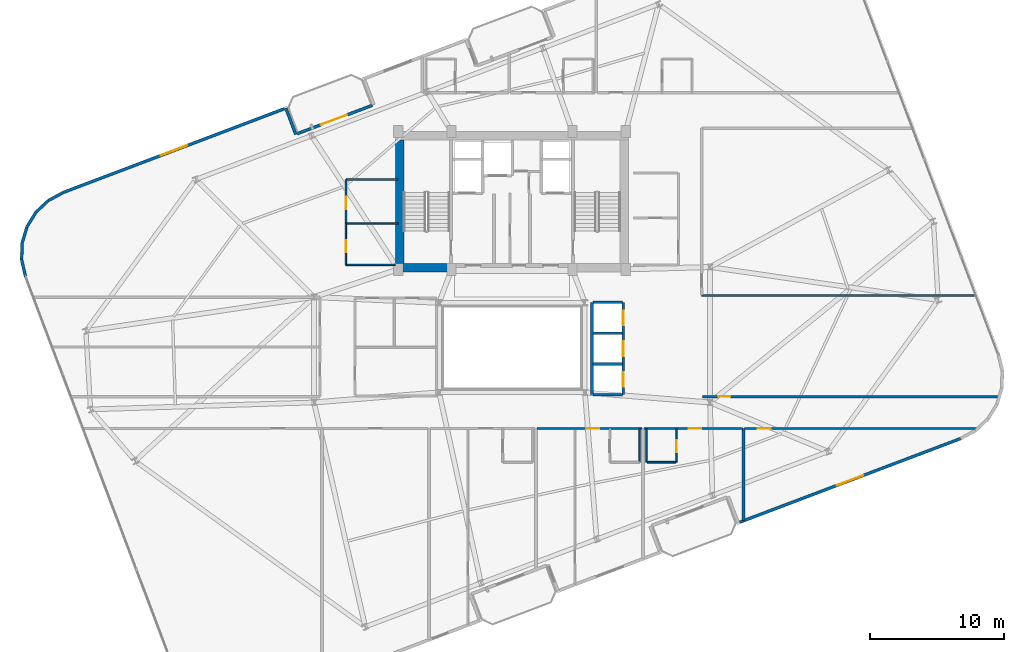
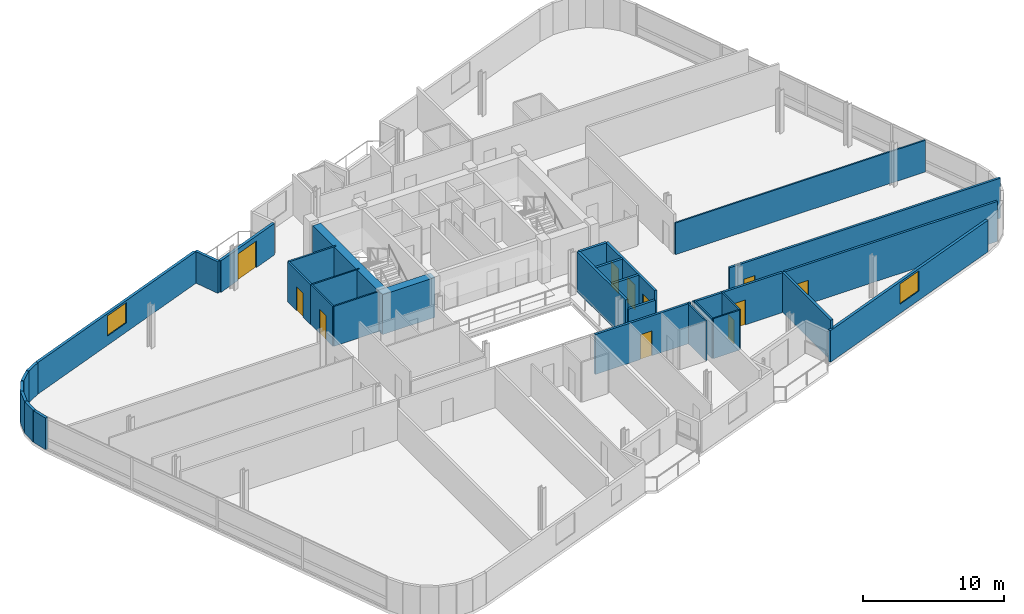
# One storey, part 15 of 20: 33 walls, 11 doors, 2 windows, 13 openings.
"""IFC4 building model written with IfcOpenShell, lengths in metres."""

from ifc_helpers import new_model, si_unit, direction, frame, frame_2d, origin, place, context, subcontext, project, spatial, rectangle, extrude, material, layer, layer_set, type_object, element, fill, save


model = new_model("IFC4")

# Units and contexts
model_context = context("Model", 3, precision=1e-05, world=origin(), true_north=direction((0.0, 1.0)))
body_context = subcontext(model_context, "Body", "Model", "MODEL_VIEW")
ifc_project = project(units=[si_unit("LENGTHUNIT", "METRE"), si_unit("AREAUNIT", "SQUARE_METRE"), si_unit("VOLUMEUNIT", "CUBIC_METRE"), si_unit("PLANEANGLEUNIT", "RADIAN"), si_unit("MASSUNIT", "GRAM", prefix="KILO")], contexts=[model_context])

# Site, building, storey
site_placement = place(None, origin())
site = spatial("IfcSite", under=ifc_project, at=site_placement, CompositionType="ELEMENT")
building_placement = place(site_placement, origin())
building = spatial("IfcBuilding", under=site, at=building_placement, Name="Varnelok Gate Tower", CompositionType="ELEMENT")
storey_placement = place(building_placement, frame((0.0, 0.0, 238.60009765625)))
storey = spatial("IfcBuildingStorey", under=building, at=storey_placement, Name="L61", CompositionType="ELEMENT", Elevation=238.60009765625)

# Wall, opening, door
ifc_material_1 = material(Name="Concrete C45/55", Category="concrete")
ifc_layer_1 = layer(ifc_material_1, 0.219970703125)
ifc_layer_set_1 = layer_set([ifc_layer_1], Name="Concrete C45/55")
wall_type_1 = type_object("IfcWallType", Name="EW-BALC-220", PredefinedType="SOLIDWALL", material=ifc_layer_set_1)
wall_1_placement = place(storey_placement, frame((23.1494140625, 38.88720703125, 0.0), z_axis=(0.0, 0.0, 1.0), x_axis=(0.9352192676, 0.354069091436, 0.0)))
wall_1 = element("IfcWall", 1, at=wall_1_placement, inside=storey, type_object=wall_type_1, Name="L61 North Terrace Envelope Wall 3", PredefinedType="SOLIDWALL", context=body_context, shape_type="SweptSolid", body=[
    extrude(rectangle(XDim=6.000244140625, YDim=0.219970703125, at=frame_2d((3.0, 0.0))), origin(), (0.0, 0.0, 1.0), 2.72998046875),
])
opening_1_placement = place(wall_1_placement, frame((1.887939453125, 0.0, 0.0)))
opening_1 = element("IfcOpeningElement", 2, at=opening_1_placement, cuts=wall_1, Name="Opening BD-2", PredefinedType="OPENING", context=body_context, shape_type="SweptSolid", body=[
    extrude(rectangle(XDim=2.10009765625, YDim=2.300048828125, at=frame_2d((1.050048828125, 1.14990234375))), frame((0.0, 0.119873046875, 0.0), z_axis=(0.0, -1.0, 0.0), x_axis=(1.0, 0.0, 0.0)), (0.0, 0.0, 1.0), 0.239990234375),
])
ifc_material_2 = material(Name="Anodized Aluminum Alloy 6063-T6", Category="aluminium")
door_type_1 = type_object("IfcDoorType", Name="DR-EXT-SLID2100", OperationType="SLIDING_TO_LEFT", PredefinedType="DOOR", material=ifc_material_2)
door_1_placement = place(opening_1_placement, origin())
door_1 = element("IfcDoor", 3, at=door_1_placement, inside=storey, type_object=door_type_1, Name="L61 North Balcony Glazed Door 3", OperationType="SLIDING_TO_LEFT", OverallHeight=2.300048828125, OverallWidth=2.10009765625, PredefinedType="DOOR", context=body_context, shape_type="SweptSolid", body=[
    extrude(rectangle(XDim=2.10009765625, YDim=2.300048828125, at=frame_2d((1.050048828125, 1.14990234375))), frame((0.0, 0.02490234375, 0.0), z_axis=(0.0, -1.0, 0.0), x_axis=(1.0, 0.0, 0.0)), (0.0, 0.0, 1.0), 0.050048828125),
])
fill(opening_1, door_1)

# Wall, opening, window
wall_2_placement = place(storey_placement, frame((56.219482421875, 9.844970703125, 0.0), z_axis=(0.0, 0.0, 1.0), x_axis=(0.935225601791, 0.354052360188, 0.0)))
wall_2 = element("IfcWall", 4, at=wall_2_placement, inside=storey, type_object=wall_type_1, Name="L61 Perimeter Facade Closure Wall 13", PredefinedType="SOLIDWALL", context=body_context, shape_type="SweptSolid", body=[
    extrude(rectangle(XDim=17.647216796875, YDim=0.219970703125, at=frame_2d((8.82373046875, 0.0))), origin(), (0.0, 0.0, 1.0), 2.72998046875),
])
opening_2_placement = place(wall_2_placement, frame((7.773681640625, 0.0, 0.800048828125)))
opening_2 = element("IfcOpeningElement", 5, at=opening_2_placement, cuts=wall_2, Name="Opening WN4", PredefinedType="OPENING", context=body_context, shape_type="SweptSolid", body=[
    extrude(rectangle(XDim=2.10009765625, YDim=1.75, at=frame_2d((1.050048828125, 0.875))), frame((0.0, 0.119873046875, 0.0), z_axis=(0.0, -1.0, 0.0), x_axis=(1.0, 0.0, 0.0)), (0.0, 0.0, 1.0), 0.239990234375),
])
ifc_material_3 = material(Name="Low-E Laminated Double Glazing IGU", Category="glass")
window_type = type_object("IfcWindowType", Name="WN-SUI-2100", PartitioningType="SINGLE_PANEL", PredefinedType="WINDOW", material=ifc_material_3)
window_1_placement = place(opening_2_placement, origin())
window_1 = element("IfcWindow", 6, at=window_1_placement, inside=storey, type_object=window_type, Name="L61 Perimeter Vision Window 13", OverallHeight=1.75, OverallWidth=2.10009765625, PartitioningType="SINGLE_PANEL", PredefinedType="WINDOW", context=body_context, shape_type="SweptSolid", body=[
    extrude(rectangle(XDim=2.10009765625, YDim=1.75, at=frame_2d((1.050048828125, 0.875))), frame((0.0, 0.030029296875, 0.0), z_axis=(0.0, -1.0, 0.0), x_axis=(1.0, 0.0, 0.0)), (0.0, 0.0, 1.0), 0.06005859375),
])
fill(opening_2, window_1)

# Wall
wall_3_placement = place(storey_placement, frame((23.041015625, 38.83544921875, 0.0), z_axis=(0.0, 0.0, 1.0), x_axis=(-0.354128469405, 0.935196785258, 0.0)))
element("IfcWall", 7, at=wall_3_placement, inside=storey, type_object=wall_type_1, Name="L61 Perimeter Facade Closure Wall 31", PredefinedType="SOLIDWALL", context=body_context, shape_type="SweptSolid", body=[
    extrude(rectangle(XDim=2.099853515625, YDim=0.219970703125, at=frame_2d((1.0498046875, 0.0))), origin(), (0.0, 0.0, 1.0), 2.72998046875),
])

# Wall, opening, window
wall_4_placement = place(storey_placement, frame((22.180419921875, 40.755126953125, 0.0), z_axis=(0.0, 0.0, 1.0), x_axis=(-0.935223867561, -0.354056941104, 0.0)))
wall_4 = element("IfcWall", 8, at=wall_4_placement, inside=storey, type_object=wall_type_1, Name="L61 Perimeter Facade Closure Wall 32", PredefinedType="SOLIDWALL", context=body_context, shape_type="SweptSolid", body=[
    extrude(rectangle(XDim=17.64697265625, YDim=0.219970703125, at=frame_2d((8.823486328125, 0.0))), origin(), (0.0, 0.0, 1.0), 2.72998046875),
])
opening_3_placement = place(wall_4_placement, frame((7.773681640625, 0.0, 0.800048828125)))
opening_3 = element("IfcOpeningElement", 9, at=opening_3_placement, cuts=wall_4, Name="Opening WN4", PredefinedType="OPENING", context=body_context, shape_type="SweptSolid", body=[
    extrude(rectangle(XDim=2.10009765625, YDim=1.75, at=frame_2d((1.050048828125, 0.875))), frame((0.0, 0.119873046875, 0.0), z_axis=(0.0, -1.0, 0.0), x_axis=(1.0, 0.0, 0.0)), (0.0, 0.0, 1.0), 0.239990234375),
])
window_2_placement = place(opening_3_placement, origin())
window_2 = element("IfcWindow", 10, at=window_2_placement, inside=storey, type_object=window_type, Name="L61 Perimeter Vision Window 32", OverallHeight=1.75, OverallWidth=2.10009765625, PartitioningType="SINGLE_PANEL", PredefinedType="WINDOW", context=body_context, shape_type="SweptSolid", body=[
    extrude(rectangle(XDim=2.10009765625, YDim=1.75, at=frame_2d((1.050048828125, 0.875))), frame((0.0, 0.030029296875, 0.0), z_axis=(0.0, -1.0, 0.0), x_axis=(1.0, 0.0, 0.0)), (0.0, 0.0, 1.0), 0.06005859375),
])
fill(opening_3, window_2)

# Walls
wall_5_placement = place(storey_placement, frame((5.654296875, 34.4951171875, 0.0), z_axis=(0.0, 0.0, 1.0), x_axis=(-0.88098842986, -0.473137809155, 0.0)))
element("IfcWall", 11, at=wall_5_placement, inside=storey, type_object=wall_type_1, Name="L61 Perimeter Facade Closure Wall 33", PredefinedType="SOLIDWALL", context=body_context, shape_type="SweptSolid", body=[
    extrude(rectangle(XDim=1.25634765625, YDim=0.219970703125, at=frame_2d((0.628173828125, 0.0))), origin(), (0.0, 0.0, 1.0), 2.72998046875),
])
wall_6_placement = place(storey_placement, frame((4.529052734375, 33.883544921875, 0.0), z_axis=(0.0, 0.0, 1.0), x_axis=(-0.728475443486, -0.685071914647, 0.0)))
element("IfcWall", 12, at=wall_6_placement, inside=storey, type_object=wall_type_1, Name="L61 Perimeter Facade Closure Wall 34", PredefinedType="SOLIDWALL", context=body_context, shape_type="SweptSolid", body=[
    extrude(rectangle(XDim=1.248779296875, YDim=0.219970703125, at=frame_2d((0.62451171875, 0.0))), origin(), (0.0, 0.0, 1.0), 2.72998046875),
])
wall_7_placement = place(storey_placement, frame((3.606201171875, 33.0068359375, 0.0), z_axis=(0.0, 0.0, 1.0), x_axis=(-0.526408468713, -0.850231806078, 0.0)))
element("IfcWall", 13, at=wall_7_placement, inside=storey, type_object=wall_type_1, Name="L61 Perimeter Facade Closure Wall 35", PredefinedType="SOLIDWALL", context=body_context, shape_type="SweptSolid", body=[
    extrude(rectangle(XDim=1.24853515625, YDim=0.219970703125, at=frame_2d((0.624267578125, 0.0))), origin(), (0.0, 0.0, 1.0), 2.72998046875),
])
wall_8_placement = place(storey_placement, frame((2.941650390625, 31.92138671875, 0.0), z_axis=(0.0, 0.0, 1.0), x_axis=(-0.288352095019, -0.957524448408, 0.0)))
element("IfcWall", 14, at=wall_8_placement, inside=storey, type_object=wall_type_1, Name="L61 Perimeter Facade Closure Wall 36", PredefinedType="SOLIDWALL", context=body_context, shape_type="SweptSolid", body=[
    extrude(rectangle(XDim=1.248779296875, YDim=0.219970703125, at=frame_2d((0.62451171875, 0.0))), origin(), (0.0, 0.0, 1.0), 2.72998046875),
])
wall_9_placement = place(storey_placement, frame((2.580810546875, 30.70068359375, 0.0), z_axis=(0.0, 0.0, 1.0), x_axis=(-0.030697576053, -0.999528718359, 0.0)))
element("IfcWall", 15, at=wall_9_placement, inside=storey, type_object=wall_type_1, Name="L61 Perimeter Facade Closure Wall 37", PredefinedType="SOLIDWALL", context=body_context, shape_type="SweptSolid", body=[
    extrude(rectangle(XDim=1.24853515625, YDim=0.219970703125, at=frame_2d((0.624267578125, 0.0))), origin(), (0.0, 0.0, 1.0), 2.72998046875),
])
wall_10_placement = place(storey_placement, frame((2.548095703125, 29.428466796875, 0.0), z_axis=(0.0, 0.0, 1.0), x_axis=(0.228941257463, -0.973440239887, 0.0)))
element("IfcWall", 16, at=wall_10_placement, inside=storey, type_object=wall_type_1, Name="L61 Perimeter Facade Closure Wall 38", PredefinedType="SOLIDWALL", context=body_context, shape_type="SweptSolid", body=[
    extrude(rectangle(XDim=1.248779296875, YDim=0.219970703125, at=frame_2d((0.62451171875, 0.0))), origin(), (0.0, 0.0, 1.0), 2.72998046875),
])

# Wall, opening, door
ifc_material_4 = material(Name="Gypsum Plasterboard Acoustic Partition", Category="gypsum")
ifc_layer_2 = layer(ifc_material_4, 0.179931640625)
ifc_layer_set_2 = layer_set([ifc_layer_2], Name="Gypsum Plasterboard Acoustic Partition")
wall_type_2 = type_object("IfcWallType", Name="PW-CORR-180", PredefinedType="PARTITIONING", material=ifc_layer_set_2)
wall_11_placement = place(storey_placement, frame((41.080078125, 16.85009765625, 0.0), z_axis=(0.0, 0.0, 1.0), x_axis=(1.0, 0.0, 0.0)))
wall_11 = element("IfcWall", 17, at=wall_11_placement, inside=storey, type_object=wall_type_2, Name="Interior Partition", PredefinedType="PARTITIONING", context=body_context, shape_type="SweptSolid", body=[
    extrude(rectangle(XDim=7.83984375, YDim=0.179931640625, at=frame_2d((3.919921875, 0.0))), origin(), (0.0, 0.0, 1.0), 3.449951171875),
])
opening_4_placement = place(wall_11_placement, frame((3.679931640625, 0.0, 0.0)))
opening_4 = element("IfcOpeningElement", 18, at=opening_4_placement, cuts=wall_11, Name="Opening D-HT", PredefinedType="OPENING", context=body_context, shape_type="SweptSolid", body=[
    extrude(rectangle(XDim=0.949951171875, YDim=2.14990234375, at=frame_2d((0.47509765625, 1.074951171875))), frame((0.0, 0.099853515625, 0.0), z_axis=(0.0, -1.0, 0.0), x_axis=(1.0, 0.0, 0.0)), (0.0, 0.0, 1.0), 0.199951171875),
])
ifc_material_5 = material(Name="Engineered Hardwood Timber", Category="wood")
door_type_2 = type_object("IfcDoorType", Name="DR-HTL-950", OperationType="NOTDEFINED", PredefinedType="DOOR", material=ifc_material_5)
door_2_placement = place(opening_4_placement, origin())
door_2 = element("IfcDoor", 19, at=door_2_placement, inside=storey, type_object=door_type_2, Name="L61 Guest Room 04 Entrance Door", OperationType="SINGLE_SWING_LEFT", OverallHeight=2.14990234375, OverallWidth=0.949951171875, PredefinedType="DOOR", context=body_context, shape_type="SweptSolid", body=[
    extrude(rectangle(XDim=0.949951171875, YDim=2.14990234375, at=frame_2d((0.47509765625, 1.074951171875))), frame((0.0, 0.02490234375, 0.0), z_axis=(0.0, -1.0, 0.0), x_axis=(1.0, 0.0, 0.0)), (0.0, 0.0, 1.0), 0.050048828125),
])
fill(opening_4, door_2)

wall_12_placement = place(storey_placement, frame((49.080078125, 16.85009765625, 0.0), z_axis=(0.0, 0.0, 1.0), x_axis=(1.0, 0.0, 0.0)))
wall_12 = element("IfcWall", 20, at=wall_12_placement, inside=storey, type_object=wall_type_2, Name="Interior Partition", PredefinedType="PARTITIONING", context=body_context, shape_type="SweptSolid", body=[
    extrude(rectangle(XDim=7.33984375, YDim=0.179931640625, at=frame_2d((3.669921875, 0.0))), origin(), (0.0, 0.0, 1.0), 3.449951171875),
])
opening_5_placement = place(wall_12_placement, frame((3.322021484375, 0.0, 0.0)))
opening_5 = element("IfcOpeningElement", 21, at=opening_5_placement, cuts=wall_12, Name="Opening D-HT", PredefinedType="OPENING", context=body_context, shape_type="SweptSolid", body=[
    extrude(rectangle(XDim=0.949951171875, YDim=2.14990234375, at=frame_2d((0.47509765625, 1.074951171875))), frame((0.0, 0.099853515625, 0.0), z_axis=(0.0, -1.0, 0.0), x_axis=(1.0, 0.0, 0.0)), (0.0, 0.0, 1.0), 0.199951171875),
])
door_3_placement = place(opening_5_placement, origin())
door_3 = element("IfcDoor", 22, at=door_3_placement, inside=storey, type_object=door_type_2, Name="L61 Guest Room 05 Entrance Door", OperationType="SINGLE_SWING_RIGHT", OverallHeight=2.14990234375, OverallWidth=0.949951171875, PredefinedType="DOOR", context=body_context, shape_type="SweptSolid", body=[
    extrude(rectangle(XDim=0.949951171875, YDim=2.14990234375, at=frame_2d((0.47509765625, 1.074951171875))), frame((0.0, 0.02490234375, 0.0), z_axis=(0.0, -1.0, 0.0), x_axis=(1.0, 0.0, 0.0)), (0.0, 0.0, 1.0), 0.050048828125),
])
fill(opening_5, door_3)

wall_13_placement = place(storey_placement, frame((56.580078125, 16.85009765625, 0.0), z_axis=(0.0, 0.0, 1.0), x_axis=(1.0, 0.0, 0.0)))
wall_13 = element("IfcWall", 23, at=wall_13_placement, inside=storey, type_object=wall_type_2, Name="Interior Partition", PredefinedType="PARTITIONING", context=body_context, shape_type="SweptSolid", body=[
    extrude(rectangle(XDim=17.403564453125, YDim=0.179931640625, at=frame_2d((8.70166015625, 0.0))), origin(), (0.0, 0.0, 1.0), 3.449951171875),
])
opening_6_placement = place(wall_13_placement, frame((0.9951171875, 0.0, 0.0)))
opening_6 = element("IfcOpeningElement", 24, at=opening_6_placement, cuts=wall_13, Name="Opening D-I2", PredefinedType="OPENING", context=body_context, shape_type="SweptSolid", body=[
    extrude(rectangle(XDim=0.949951171875, YDim=2.050048828125, at=frame_2d((0.47509765625, 1.02490234375))), frame((0.0, 0.099853515625, 0.0), z_axis=(0.0, -1.0, 0.0), x_axis=(1.0, 0.0, 0.0)), (0.0, 0.0, 1.0), 0.199951171875),
])
door_type_3 = type_object("IfcDoorType", Name="DR-INT-950", OperationType="NOTDEFINED", PredefinedType="DOOR", material=ifc_material_5)
door_4_placement = place(opening_6_placement, origin())
door_4 = element("IfcDoor", 25, at=door_4_placement, inside=storey, type_object=door_type_3, Name="L61 Hotel Business Center Door", OperationType="SINGLE_SWING_LEFT", OverallHeight=2.050048828125, OverallWidth=0.949951171875, PredefinedType="DOOR", context=body_context, shape_type="SweptSolid", body=[
    extrude(rectangle(XDim=0.949951171875, YDim=2.050048828125, at=frame_2d((0.47509765625, 1.02490234375))), frame((0.0, 0.02490234375, 0.0), z_axis=(0.0, -1.0, 0.0), x_axis=(1.0, 0.0, 0.0)), (0.0, 0.0, 1.0), 0.050048828125),
])
fill(opening_6, door_4)

wall_14_placement = place(storey_placement, frame((53.449951171875, 19.239990234375, 0.0), z_axis=(0.0, 0.0, 1.0), x_axis=(1.0, 0.0, 0.0)))
wall_14 = element("IfcWall", 26, at=wall_14_placement, inside=storey, type_object=wall_type_2, Name="Interior Partition", PredefinedType="PARTITIONING", context=body_context, shape_type="SweptSolid", body=[
    extrude(rectangle(XDim=22.156494140625, YDim=0.179931640625, at=frame_2d((11.078125, 0.0))), origin(), (0.0, 0.0, 1.0), 3.449951171875),
])
opening_7_placement = place(wall_14_placement, frame((1.14990234375, 0.0, 0.0)))
opening_7 = element("IfcOpeningElement", 27, at=opening_7_placement, cuts=wall_14, Name="Opening D-I3", PredefinedType="OPENING", context=body_context, shape_type="SweptSolid", body=[
    extrude(rectangle(XDim=0.919921875, YDim=2.050048828125, at=frame_2d((0.4599609375, 1.02490234375))), frame((0.0, 0.099853515625, 0.0), z_axis=(0.0, -1.0, 0.0), x_axis=(1.0, 0.0, 0.0)), (0.0, 0.0, 1.0), 0.199951171875),
])
door_type_4 = type_object("IfcDoorType", Name="DR-INT-920", OperationType="NOTDEFINED", PredefinedType="DOOR", material=ifc_material_5)
door_5_placement = place(opening_7_placement, origin())
door_5 = element("IfcDoor", 28, at=door_5_placement, inside=storey, type_object=door_type_4, Name="L61 East Studio Door", OperationType="SINGLE_SWING_LEFT", OverallHeight=2.050048828125, OverallWidth=0.919921875, PredefinedType="DOOR", context=body_context, shape_type="SweptSolid", body=[
    extrude(rectangle(XDim=0.919921875, YDim=2.050048828125, at=frame_2d((0.4599609375, 1.02490234375))), frame((0.0, 0.02490234375, 0.0), z_axis=(0.0, -1.0, 0.0), x_axis=(1.0, 0.0, 0.0)), (0.0, 0.0, 1.0), 0.050048828125),
])
fill(opening_7, door_5)

# Walls
ifc_layer_3 = layer(ifc_material_4, 0.114990234375)
ifc_layer_set_3 = layer_set([ifc_layer_3], Name="Gypsum Plasterboard Acoustic Partition")
wall_type_3 = type_object("IfcWallType", Name="PW-ENS-125", PredefinedType="PARTITIONING", material=ifc_layer_set_3)
wall_15_placement = place(storey_placement, frame((48.739990234375, 14.330078125, 0.0), z_axis=(0.0, 0.0, 1.0), x_axis=(0.0, 1.0, 0.0)))
element("IfcWall", 29, at=wall_15_placement, inside=storey, type_object=wall_type_3, Name="Interior Partition", PredefinedType="PARTITIONING", context=body_context, shape_type="SweptSolid", body=[
    extrude(rectangle(XDim=2.52001953125, YDim=0.114990234375, at=frame_2d((1.260009765625, 0.0))), origin(), (0.0, 0.0, 1.0), 3.449951171875),
])
wall_16_placement = place(storey_placement, frame((49.300048828125, 14.330078125, 0.0), z_axis=(0.0, 0.0, 1.0), x_axis=(1.0, 0.0, 0.0)))
element("IfcWall", 30, at=wall_16_placement, inside=storey, type_object=wall_type_3, Name="Interior Partition", PredefinedType="PARTITIONING", context=body_context, shape_type="SweptSolid", body=[
    extrude(rectangle(XDim=2.14990234375, YDim=0.114990234375, at=frame_2d((1.074951171875, 0.0))), origin(), (0.0, 0.0, 1.0), 3.449951171875),
])

# Wall, opening, door
wall_17_placement = place(storey_placement, frame((51.489990234375, 14.330078125, 0.0), z_axis=(0.0, 0.0, 1.0), x_axis=(0.0, 1.0, 0.0)))
wall_17 = element("IfcWall", 31, at=wall_17_placement, inside=storey, type_object=wall_type_3, Name="Interior Partition", PredefinedType="PARTITIONING", context=body_context, shape_type="SweptSolid", body=[
    extrude(rectangle(XDim=2.52001953125, YDim=0.114990234375, at=frame_2d((1.260009765625, 0.0))), origin(), (0.0, 0.0, 1.0), 3.449951171875),
])
opening_8_placement = place(wall_17_placement, frame((0.760009765625, 0.0, 0.0)))
opening_8 = element("IfcOpeningElement", 32, at=opening_8_placement, cuts=wall_17, Name="Opening D-WC", PredefinedType="OPENING", context=body_context, shape_type="SweptSolid", body=[
    extrude(rectangle(XDim=0.89990234375, YDim=2.050048828125, at=frame_2d((0.449951171875, 1.02490234375))), frame((0.0, 0.0673828125, 0.0), z_axis=(0.0, -1.0, 0.0), x_axis=(1.0, 0.0, 0.0)), (0.0, 0.0, 1.0), 0.135009765625),
])
door_type_5 = type_object("IfcDoorType", Name="DR-BATH-900", OperationType="NOTDEFINED", PredefinedType="DOOR", material=ifc_material_5)
door_6_placement = place(opening_8_placement, origin())
door_6 = element("IfcDoor", 33, at=door_6_placement, inside=storey, type_object=door_type_5, Name="L61 Guest En-Suite 05 Door", OperationType="SINGLE_SWING_LEFT", OverallHeight=2.050048828125, OverallWidth=0.89990234375, PredefinedType="DOOR", context=body_context, shape_type="SweptSolid", body=[
    extrude(rectangle(XDim=0.89990234375, YDim=2.050048828125, at=frame_2d((0.449951171875, 1.02490234375))), frame((0.0, 0.02490234375, 0.0), z_axis=(0.0, -1.0, 0.0), x_axis=(1.0, 0.0, 0.0)), (0.0, 0.0, 1.0), 0.050048828125),
])
fill(opening_8, door_6)

# Walls
wall_18_placement = place(storey_placement, frame((49.260009765625, 14.330078125, 0.0), z_axis=(0.0, 0.0, 1.0), x_axis=(0.0, 1.0, 0.0)))
element("IfcWall", 34, at=wall_18_placement, inside=storey, type_object=wall_type_3, Name="Interior Partition", PredefinedType="PARTITIONING", context=body_context, shape_type="SweptSolid", body=[
    extrude(rectangle(XDim=2.52001953125, YDim=0.114990234375, at=frame_2d((1.260009765625, 0.0))), origin(), (0.0, 0.0, 1.0), 3.449951171875),
])
wall_19_placement = place(storey_placement, frame((26.800048828125, 32.18994140625, 0.0), z_axis=(0.0, 0.0, 1.0), x_axis=(1.0, 0.0, 0.0)))
element("IfcWall", 35, at=wall_19_placement, inside=storey, type_object=wall_type_3, Name="Interior Partition", PredefinedType="PARTITIONING", context=body_context, shape_type="SweptSolid", body=[
    extrude(rectangle(XDim=3.8798828125, YDim=0.114990234375, at=frame_2d((1.93994140625, 0.0))), origin(), (0.0, 0.0, 1.0), 3.449951171875),
])
wall_20_placement = place(storey_placement, frame((26.780029296875, 29.080078125, 0.0), z_axis=(0.0, 0.0, 1.0), x_axis=(1.0, 0.0, 0.0)))
element("IfcWall", 36, at=wall_20_placement, inside=storey, type_object=wall_type_3, Name="Interior Partition", PredefinedType="PARTITIONING", context=body_context, shape_type="SweptSolid", body=[
    extrude(rectangle(XDim=3.699951171875, YDim=0.114990234375, at=frame_2d((1.85009765625, 0.0))), origin(), (0.0, 0.0, 1.0), 3.449951171875),
])

# Wall, opening, door
wall_21_placement = place(storey_placement, frame((26.780029296875, 29.080078125, 0.0), z_axis=(0.0, 0.0, 1.0), x_axis=(0.0, 1.0, 0.0)))
wall_21 = element("IfcWall", 37, at=wall_21_placement, inside=storey, type_object=wall_type_3, Name="Interior Partition", PredefinedType="PARTITIONING", context=body_context, shape_type="SweptSolid", body=[
    extrude(rectangle(XDim=3.10986328125, YDim=0.114990234375, at=frame_2d((1.554931640625, 0.0))), origin(), (0.0, 0.0, 1.0), 3.449951171875),
])
opening_9_placement = place(wall_21_placement, frame((0.949951171875, 0.0, 0.0)))
opening_9 = element("IfcOpeningElement", 38, at=opening_9_placement, cuts=wall_21, Name="Opening D-WC", PredefinedType="OPENING", context=body_context, shape_type="SweptSolid", body=[
    extrude(rectangle(XDim=0.89990234375, YDim=2.050048828125, at=frame_2d((0.449951171875, 1.02490234375))), frame((0.0, 0.0673828125, 0.0), z_axis=(0.0, -1.0, 0.0), x_axis=(1.0, 0.0, 0.0)), (0.0, 0.0, 1.0), 0.135009765625),
])
door_7_placement = place(opening_9_placement, origin())
door_7 = element("IfcDoor", 39, at=door_7_placement, inside=storey, type_object=door_type_5, Name="L61 Core Floor WC Door", OperationType="SINGLE_SWING_LEFT", OverallHeight=2.050048828125, OverallWidth=0.89990234375, PredefinedType="DOOR", context=body_context, shape_type="SweptSolid", body=[
    extrude(rectangle(XDim=0.89990234375, YDim=2.050048828125, at=frame_2d((0.449951171875, 1.02490234375))), frame((0.0, 0.02490234375, 0.0), z_axis=(0.0, -1.0, 0.0), x_axis=(1.0, 0.0, 0.0)), (0.0, 0.0, 1.0), 0.050048828125),
])
fill(opening_9, door_7)

# Walls
ifc_layer_4 = layer(ifc_material_4, 0.125)
ifc_layer_set_4 = layer_set([ifc_layer_4], Name="Gypsum Plasterboard Acoustic Partition")
wall_type_4 = type_object("IfcWallType", Name="PW-PART-125", PredefinedType="PARTITIONING", material=ifc_layer_set_4)
wall_22_placement = place(storey_placement, frame((53.389892578125, 26.800048828125, 0.0), z_axis=(0.0, 0.0, 1.0), x_axis=(1.0, 0.0, 0.0)))
element("IfcWall", 40, at=wall_22_placement, inside=storey, type_object=wall_type_4, Name="Interior Partition", PredefinedType="PARTITIONING", context=body_context, shape_type="SweptSolid", body=[
    extrude(rectangle(XDim=20.4453125, YDim=0.125, at=frame_2d((10.22265625, 0.0))), origin(), (0.0, 0.0, 1.0), 2.739013671875),
])
ifc_layer_5 = layer(ifc_material_4, 0.14990234375)
ifc_layer_set_5 = layer_set([ifc_layer_5], Name="Gypsum Plasterboard Acoustic Partition")
wall_type_5 = type_object("IfcWallType", Name="PW-PART-150", PredefinedType="PARTITIONING", material=ifc_layer_set_5)
wall_23_placement = place(storey_placement, frame((26.780029296875, 35.4599609375, 0.0), z_axis=(0.0, 0.0, 1.0), x_axis=(1.0, 0.0, 0.0)))
element("IfcWall", 41, at=wall_23_placement, inside=storey, type_object=wall_type_5, Name="Interior Partition", PredefinedType="PARTITIONING", context=body_context, shape_type="SweptSolid", body=[
    extrude(rectangle(XDim=3.89990234375, YDim=0.14990234375, at=frame_2d((1.949951171875, 0.0))), origin(), (0.0, 0.0, 1.0), 3.449951171875),
])

# Wall, opening, door
wall_24_placement = place(storey_placement, frame((26.780029296875, 32.18994140625, 0.0), z_axis=(0.0, 0.0, 1.0), x_axis=(0.0, 1.0, 0.0)))
wall_24 = element("IfcWall", 42, at=wall_24_placement, inside=storey, type_object=wall_type_5, Name="Interior Partition", PredefinedType="PARTITIONING", context=body_context, shape_type="SweptSolid", body=[
    extrude(rectangle(XDim=3.27001953125, YDim=0.14990234375, at=frame_2d((1.635009765625, 0.0))), origin(), (0.0, 0.0, 1.0), 3.449951171875),
])
opening_10_placement = place(wall_24_placement, frame((1.050048828125, 0.0, 0.0)))
opening_10 = element("IfcOpeningElement", 43, at=opening_10_placement, cuts=wall_24, Name="Opening D-I3", PredefinedType="OPENING", context=body_context, shape_type="SweptSolid", body=[
    extrude(rectangle(XDim=0.919921875, YDim=2.050048828125, at=frame_2d((0.4599609375, 1.02490234375))), frame((0.0, 0.0849609375, 0.0), z_axis=(0.0, -1.0, 0.0), x_axis=(1.0, 0.0, 0.0)), (0.0, 0.0, 1.0), 0.169921875),
])
door_8_placement = place(opening_10_placement, origin())
door_8 = element("IfcDoor", 44, at=door_8_placement, inside=storey, type_object=door_type_4, Name="L61 Core Pantry Door", OperationType="SINGLE_SWING_RIGHT", OverallHeight=2.050048828125, OverallWidth=0.919921875, PredefinedType="DOOR", context=body_context, shape_type="SweptSolid", body=[
    extrude(rectangle(XDim=0.919921875, YDim=2.050048828125, at=frame_2d((0.4599609375, 1.02490234375))), frame((0.0, 0.02490234375, 0.0), z_axis=(0.0, -1.0, 0.0), x_axis=(1.0, 0.0, 0.0)), (0.0, 0.0, 1.0), 0.050048828125),
])
fill(opening_10, door_8)

# Walls
ifc_layer_6 = layer(ifc_material_4, 0.205078125)
ifc_layer_set_6 = layer_set([ifc_layer_6], Name="Gypsum Plasterboard Acoustic Partition")
wall_type_6 = type_object("IfcWallType", Name="PW-PARTY-200", PredefinedType="PARTITIONING", material=ifc_layer_set_6)
wall_25_placement = place(storey_placement, frame((56.5, 9.972412109375, 0.0), z_axis=(0.0, 0.0, 1.0), x_axis=(0.0, 1.0, 0.0)))
element("IfcWall", 45, at=wall_25_placement, inside=storey, type_object=wall_type_6, Name="L61 South Party Wall 5", PredefinedType="PARTITIONING", context=body_context, shape_type="SweptSolid", body=[
    extrude(rectangle(XDim=6.877685546875, YDim=0.205078125, at=frame_2d((3.43896484375, 0.0))), origin(), (0.0, 0.0, 1.0), 3.449951171875),
])
ifc_material_6 = material(Name="Concrete C35/45", Category="concrete")
ifc_layer_7 = layer(ifc_material_6, 0.199951171875)
ifc_layer_set_7 = layer_set([ifc_layer_7], Name="Concrete C35/45")
wall_type_7 = type_object("IfcWallType", Name="PW-SHAFT-200", PredefinedType="PARTITIONING", material=ifc_layer_set_7)
for number, where, z_axis, x_axis, name in (
    (46, (45.239990234375, 21.675048828125, 0.0), (0.0, 0.0, 1.0), (1.0, 0.0, 0.0), "L61 PH1 Divider"),
    (47, (45.239990234375, 23.97509765625, 0.0), (0.0, 0.0, 1.0), (1.0, 0.0, 0.0), "L61 PH2 Divider"),
):
    element("IfcWall", number, at=place(storey_placement, frame(where, z_axis=z_axis, x_axis=x_axis)), inside=storey, type_object=wall_type_7, Name=name, PredefinedType="PARTITIONING", context=body_context, shape_type="SweptSolid", body=[
        extrude(rectangle(XDim=2.219970703125, YDim=0.199951171875, at=frame_2d((1.10986328125, 0.0))), origin(), (0.0, 0.0, 1.0), 3.449951171875),
    ])
wall_26_placement = place(storey_placement, frame((45.239990234375, 19.3798828125, 0.0), z_axis=(0.0, 0.0, 1.0), x_axis=(1.0, 0.0, 0.0)))
element("IfcWall", 48, at=wall_26_placement, inside=storey, type_object=wall_type_7, Name="L61 PH Bank South Wall", PredefinedType="PARTITIONING", context=body_context, shape_type="SweptSolid", body=[
    extrude(rectangle(XDim=2.219970703125, YDim=0.199951171875, at=frame_2d((1.10986328125, 0.0))), origin(), (0.0, 0.0, 1.0), 2.661865234375),
])
wall_27_placement = place(storey_placement, frame((45.239990234375, 26.280029296875, 0.0), z_axis=(0.0, 0.0, 1.0), x_axis=(1.0, 0.0, 0.0)))
element("IfcWall", 49, at=wall_27_placement, inside=storey, type_object=wall_type_7, Name="L61 PH Bank North Wall", PredefinedType="PARTITIONING", context=body_context, shape_type="SweptSolid", body=[
    extrude(rectangle(XDim=2.219970703125, YDim=0.199951171875, at=frame_2d((1.10986328125, 0.0))), origin(), (0.0, 0.0, 1.0), 3.449951171875),
])
wall_28_placement = place(storey_placement, frame((45.179931640625, 19.3798828125, 0.0), z_axis=(0.0, 0.0, 1.0), x_axis=(0.0, 1.0, 0.0)))
element("IfcWall", 50, at=wall_28_placement, inside=storey, type_object=wall_type_7, Name="L61 PH Bank Atrium Wall", PredefinedType="PARTITIONING", context=body_context, shape_type="SweptSolid", body=[
    extrude(rectangle(XDim=6.900146484375, YDim=0.199951171875, at=frame_2d((3.4501953125, 0.0))), origin(), (0.0, 0.0, 1.0), 3.449951171875),
])

# Wall, openings, doors
wall_29_placement = place(storey_placement, frame((47.52001953125, 19.3798828125, 0.0), z_axis=(0.0, 0.0, 1.0), x_axis=(0.0, 1.0, 0.0)))
wall_29 = element("IfcWall", 51, at=wall_29_placement, inside=storey, type_object=wall_type_7, Name="L61 PH Bank Front Wall", PredefinedType="PARTITIONING", context=body_context, shape_type="SweptSolid", body=[
    extrude(rectangle(XDim=6.900146484375, YDim=0.199951171875, at=frame_2d((3.4501953125, 0.0))), origin(), (0.0, 0.0, 1.0), 3.449951171875),
])
opening_11_placement = place(wall_29_placement, frame((0.590087890625, 0.0, 0.0)))
opening_11 = element("IfcOpeningElement", 52, at=opening_11_placement, cuts=wall_29, Name="Opening LD-PH1", PredefinedType="OPENING", context=body_context, shape_type="SweptSolid", body=[
    extrude(rectangle(XDim=1.10009765625, YDim=2.14990234375, at=frame_2d((0.550048828125, 1.074951171875))), frame((0.0, 0.10986328125, 0.0), z_axis=(0.0, -1.0, 0.0), x_axis=(1.0, 0.0, 0.0)), (0.0, 0.0, 1.0), 0.219970703125),
])
opening_12_placement = place(wall_29_placement, frame((2.889892578125, 0.0, 0.0)))
opening_12 = element("IfcOpeningElement", 53, at=opening_12_placement, cuts=wall_29, Name="Opening LD-PH2", PredefinedType="OPENING", context=body_context, shape_type="SweptSolid", body=[
    extrude(rectangle(XDim=1.10009765625, YDim=2.14990234375, at=frame_2d((0.550048828125, 1.074951171875))), frame((0.0, 0.10986328125, 0.0), z_axis=(0.0, -1.0, 0.0), x_axis=(1.0, 0.0, 0.0)), (0.0, 0.0, 1.0), 0.219970703125),
])
opening_13_placement = place(wall_29_placement, frame((5.18994140625, 0.0, 0.0)))
opening_13 = element("IfcOpeningElement", 54, at=opening_13_placement, cuts=wall_29, Name="Opening LD-PH3", PredefinedType="OPENING", context=body_context, shape_type="SweptSolid", body=[
    extrude(rectangle(XDim=1.10009765625, YDim=2.14990234375, at=frame_2d((0.550048828125, 1.074951171875))), frame((0.0, 0.10986328125, 0.0), z_axis=(0.0, -1.0, 0.0), x_axis=(1.0, 0.0, 0.0)), (0.0, 0.0, 1.0), 0.219970703125),
])
ifc_material_7 = material(Name="Galvanized Steel Grade S350GD", Category="steel")
door_type_6 = type_object("IfcDoorType", Name="DR-LIFT-PAX1100", OperationType="SLIDING_TO_LEFT", PredefinedType="DOOR", material=ifc_material_7)
door_9_placement = place(opening_11_placement, origin())
door_9 = element("IfcDoor", 55, at=door_9_placement, inside=storey, type_object=door_type_6, Name="L61 Passenger Lift Landing Door LD-PH1", OperationType="SLIDING_TO_LEFT", OverallHeight=2.14990234375, OverallWidth=1.10009765625, PredefinedType="DOOR", context=body_context, shape_type="SweptSolid", body=[
    extrude(rectangle(XDim=1.10009765625, YDim=2.14990234375, at=frame_2d((0.550048828125, 1.074951171875))), frame((0.0, 0.02490234375, 0.0), z_axis=(0.0, -1.0, 0.0), x_axis=(1.0, 0.0, 0.0)), (0.0, 0.0, 1.0), 0.050048828125),
])
fill(opening_11, door_9)
door_10_placement = place(opening_12_placement, origin())
door_10 = element("IfcDoor", 56, at=door_10_placement, inside=storey, type_object=door_type_6, Name="L61 Passenger Lift Landing Door LD-PH2", OperationType="SLIDING_TO_LEFT", OverallHeight=2.14990234375, OverallWidth=1.10009765625, PredefinedType="DOOR", context=body_context, shape_type="SweptSolid", body=[
    extrude(rectangle(XDim=1.10009765625, YDim=2.14990234375, at=frame_2d((0.550048828125, 1.074951171875))), frame((0.0, 0.02490234375, 0.0), z_axis=(0.0, -1.0, 0.0), x_axis=(1.0, 0.0, 0.0)), (0.0, 0.0, 1.0), 0.050048828125),
])
fill(opening_12, door_10)
door_11_placement = place(opening_13_placement, origin())
door_11 = element("IfcDoor", 57, at=door_11_placement, inside=storey, type_object=door_type_6, Name="L61 Passenger Lift Landing Door LD-PH3", OperationType="SLIDING_TO_LEFT", OverallHeight=2.14990234375, OverallWidth=1.10009765625, PredefinedType="DOOR", context=body_context, shape_type="SweptSolid", body=[
    extrude(rectangle(XDim=1.10009765625, YDim=2.14990234375, at=frame_2d((0.550048828125, 1.074951171875))), frame((0.0, 0.02490234375, 0.0), z_axis=(0.0, -1.0, 0.0), x_axis=(1.0, 0.0, 0.0)), (0.0, 0.0, 1.0), 0.050048828125),
])
fill(opening_13, door_11)

# Walls
ifc_material_8 = material(Name="Concrete C60/75", Category="concrete")
ifc_layer_8 = layer(ifc_material_8, 0.64990234375)
ifc_layer_set_8 = layer_set([ifc_layer_8], Name="Concrete C60/75")
wall_type_8 = type_object("IfcWallType", Name="SW-CORE-650", PredefinedType="SHEAR", material=ifc_layer_set_8)
wall_30_placement = place(storey_placement, frame((30.804931640625, 29.199951171875, 0.0), z_axis=(0.0, 0.0, 1.0), x_axis=(0.0, 1.0, 0.0)))
element("IfcWall", 58, at=wall_30_placement, inside=storey, type_object=wall_type_8, Name="L61 Rear Core West Shear Wall", PredefinedType="SHEAR", context=body_context, shape_type="SweptSolid", body=[
    extrude(rectangle(XDim=9.219970703125, YDim=0.64990234375, at=frame_2d((4.60986328125, 0.0))), origin(), (0.0, 0.0, 1.0), 3.449951171875),
])
wall_31_placement = place(storey_placement, frame((30.47998046875, 28.875, 0.0), z_axis=(0.0, 0.0, 1.0), x_axis=(1.0, 0.0, 0.0)))
element("IfcWall", 59, at=wall_31_placement, inside=storey, type_object=wall_type_8, Name="L61 Rear Core South-West Shear Wall", PredefinedType="SHEAR", context=body_context, shape_type="SweptSolid", body=[
    extrude(rectangle(XDim=4.320068359375, YDim=0.64990234375, at=frame_2d((2.16015625, 0.0))), origin(), (0.0, 0.0, 1.0), 3.449951171875),
])

save(model, "model.ifc")
